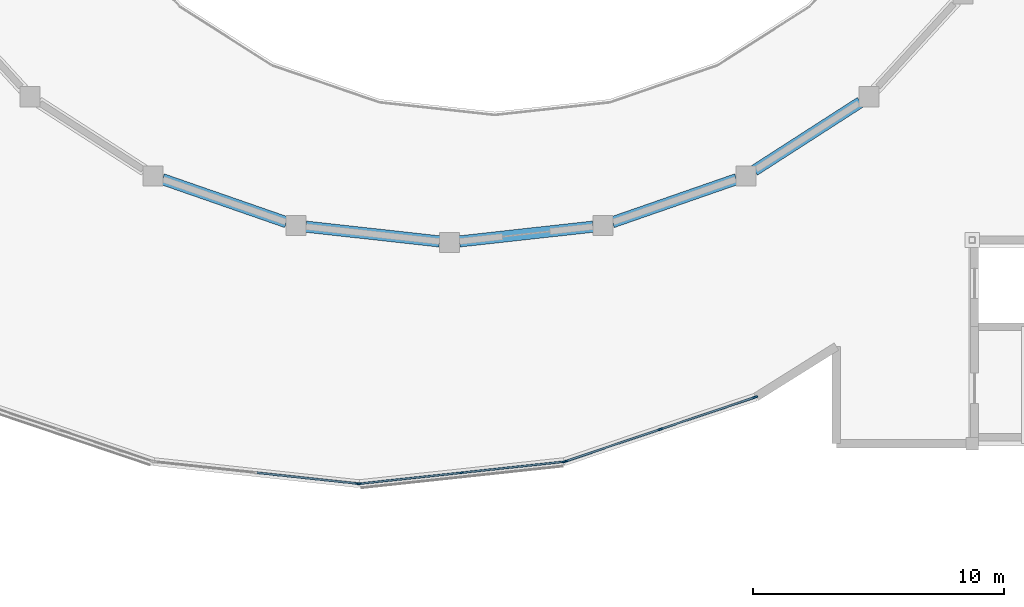
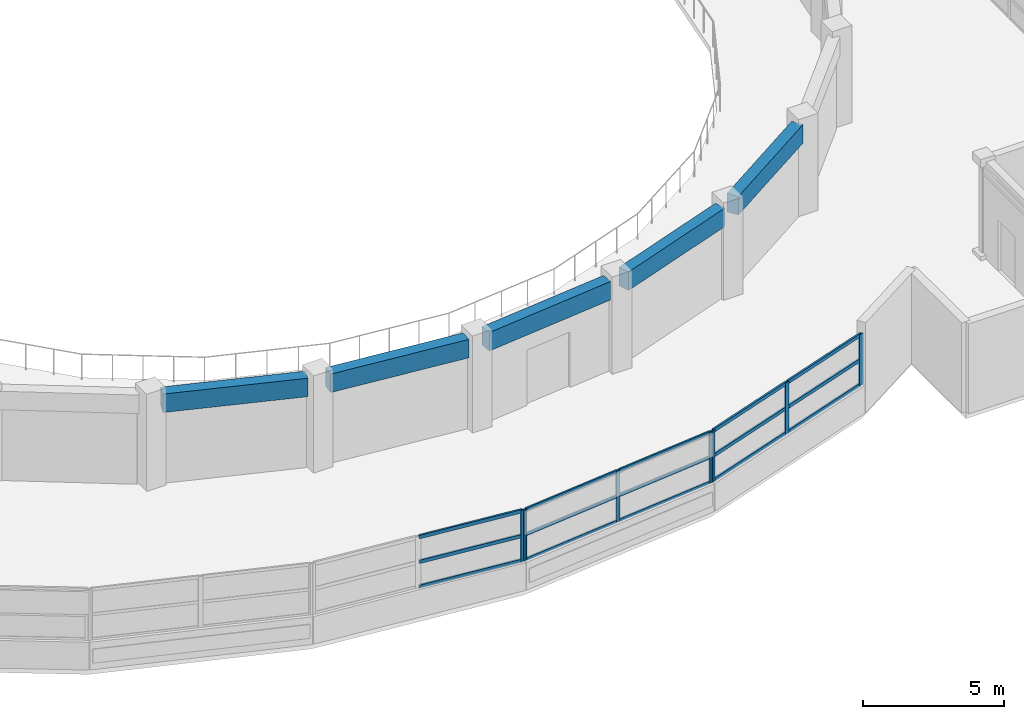
# One storey, part 11 of 54: 22 members, 5 beams, 3 elements without a shape of their own.
"""IFC4 building model written with IfcOpenShell, lengths in metres."""

from ifc_helpers import new_model, si_unit, direction, frame, origin, origin_2d, place, context, subcontext, project, spatial, rectangle, extrude, material, material_profile, profile_set, type_object, element, aggregate, save


model = new_model("IFC4")

# Units and contexts
model_context = context("Model", 3, precision=1e-05, world=origin(), true_north=direction((0.0, 1.0)))
body_context = subcontext(model_context, "Body", "Model", "MODEL_VIEW")
ifc_project = project(units=[si_unit("LENGTHUNIT", "METRE"), si_unit("AREAUNIT", "SQUARE_METRE"), si_unit("VOLUMEUNIT", "CUBIC_METRE"), si_unit("PLANEANGLEUNIT", "RADIAN"), si_unit("MASSUNIT", "GRAM", prefix="KILO")], contexts=[model_context])

# Site, building, storey
site_placement = place(None, origin())
site = spatial("IfcSite", under=ifc_project, at=site_placement, CompositionType="ELEMENT")
building_placement = place(site_placement, origin())
building = spatial("IfcBuilding", under=site, at=building_placement, Name="Parian Resonance Hall", CompositionType="ELEMENT")
storey_placement = place(building_placement, frame((0.0, 0.0, 15.0)))
storey = spatial("IfcBuildingStorey", under=building, at=storey_placement, Name="L03", CompositionType="ELEMENT", Elevation=15.0)

# Beams
ifc_material_1 = material(Name="Concrete C40/50", Category="concrete")
ifc_material_profile_1 = material_profile(ifc_material_1, rectangle(XDim=0.449951171875, YDim=0.800048828125, at=origin_2d()), Name="RC-BM-450x800")
ifc_profile_set_1 = profile_set([ifc_material_profile_1], Name="Concrete C40/50")
beam_type = type_object("IfcBeamType", Name="BM-RC450x800", PredefinedType="USERDEFINED", material=ifc_profile_set_1)
beam_1_placement = place(storey_placement, frame((32.577880859375, 26.721435546875, 3.530029296875), z_axis=(0.944593815742, -0.328241562362, 0.0), x_axis=(0.328241562362, 0.944593815742, 0.0)))
element("IfcBeam", 1, at=beam_1_placement, inside=storey, type_object=beam_type, Name="Concert hall drum ring beam L03-17", ObjectType="GIRDER", PredefinedType="USERDEFINED", context=body_context, shape_type="SweptSolid", body=[
    extrude(rectangle(XDim=0.449951171875, YDim=0.800048828125, at=origin_2d()), origin(), (0.0, 0.0, 1.0), 5.225830078125),
])
for number, where, z_axis, x_axis, name in (
    (2, (38.28955078125, 24.830810546875, 3.530029296875), (0.993953165009, -0.109804853117, 0.0), (0.109804853117, 0.993953165009, 0.0), "Concert hall drum ring beam L03-18"),
    (3, (44.397705078125, 24.243896484375, 3.530029296875), (0.993953165009, 0.109804853117, 0.0), (-0.109804853117, 0.993953165009, 0.0), "Concert hall drum ring beam L03-19"),
):
    element("IfcBeam", number, at=place(storey_placement, frame(where, z_axis=z_axis, x_axis=x_axis)), inside=storey, type_object=beam_type, Name=name, ObjectType="GIRDER", PredefinedType="USERDEFINED", context=body_context, shape_type="SweptSolid", body=[
        extrude(rectangle(XDim=0.449951171875, YDim=0.800048828125, at=origin_2d()), origin(), (0.0, 0.0, 1.0), 5.344970703125),
    ])
beam_2_placement = place(storey_placement, frame((50.48583984375, 25.006103515625, 3.530029296875), z_axis=(0.944593815742, 0.328241562362, 0.0), x_axis=(-0.328241562362, 0.944593815742, 0.0)))
element("IfcBeam", 4, at=beam_2_placement, inside=storey, type_object=beam_type, Name="Concert hall drum ring beam L03-20", ObjectType="GIRDER", PredefinedType="USERDEFINED", context=body_context, shape_type="SweptSolid", body=[
    extrude(rectangle(XDim=0.449951171875, YDim=0.800048828125, at=origin_2d()), origin(), (0.0, 0.0, 1.0), 5.225830078125),
])
beam_3_placement = place(storey_placement, frame((56.13623046875, 27.069091796875, 3.530029296875), z_axis=(0.840822266108, 0.541311293819, 0.0), x_axis=(-0.541311293819, 0.840822266108, 0.0)))
element("IfcBeam", 5, at=beam_3_placement, inside=storey, type_object=beam_type, Name="Concert hall drum ring beam L03-21", ObjectType="GIRDER", PredefinedType="USERDEFINED", context=body_context, shape_type="SweptSolid", body=[
    extrude(rectangle(XDim=0.449951171875, YDim=0.800048828125, at=origin_2d()), origin(), (0.0, 0.0, 1.0), 5.012939453125),
])

# Curtain wall, members
ifc_material_2 = material(Name="Bronze-anodised aluminium frame", Category="aluminium")
curtain_wall_type_1 = type_object("IfcCurtainWallType", Name="CW-SYS-03", PredefinedType="NOTDEFINED", material=ifc_material_2)
curtain_wall_1_placement = place(storey_placement, origin())
curtain_wall_1 = element("IfcCurtainWall", 6, at=curtain_wall_1_placement, inside=storey, type_object=curtain_wall_type_1, Name="Elliptical R3 recessed strip curtain wall 19", PredefinedType="NOTDEFINED")
ifc_material_3 = material(Name="Bronze-anodised aluminium frame", Category="aluminium")
ifc_material_profile_2 = material_profile(ifc_material_3, rectangle(XDim=0.06494140625, YDim=0.159912109375, at=origin_2d()), Name="CWM-65x160")
ifc_profile_set_2 = profile_set([ifc_material_profile_2], Name="Bronze-anodised aluminium frame")
member_type_1 = type_object("IfcMemberType", Name="CWM-65x160", PredefinedType="MULLION", material=ifc_profile_set_2)
member_1_placement = place(storey_placement, frame((48.54638671875, 15.4755859375, 1.19189453125), z_axis=(0.0, 0.0, 1.0), x_axis=(0.106870934025, -0.994272901904, 0.0)))
member_1 = element("IfcMember", 7, at=member_1_placement, type_object=member_type_1, Name="CW-03 mullion 1", PredefinedType="MULLION", context=body_context, shape_type="SweptSolid", body=[
    extrude(rectangle(XDim=0.06494140625, YDim=0.159912109375, at=origin_2d()), origin(), (0.0, 0.0, 1.0), 2.218017578125),
])
member_2_placement = place(storey_placement, frame((44.4892578125, 15.03955078125, 1.19189453125), z_axis=(0.0, 0.0, 1.0), x_axis=(0.106870934025, -0.994272901904, 0.0)))
member_2 = element("IfcMember", 8, at=member_2_placement, type_object=member_type_1, Name="CW-03 mullion 2", PredefinedType="MULLION", context=body_context, shape_type="SweptSolid", body=[
    extrude(rectangle(XDim=0.06494140625, YDim=0.159912109375, at=origin_2d()), origin(), (0.0, 0.0, 1.0), 2.218017578125),
])
member_3_placement = place(storey_placement, frame((40.432373046875, 14.603515625, 1.19189453125), z_axis=(0.0, 0.0, 1.0), x_axis=(0.106870934025, -0.994272901904, 0.0)))
member_3 = element("IfcMember", 9, at=member_3_placement, type_object=member_type_1, Name="CW-03 mullion 3", PredefinedType="MULLION", context=body_context, shape_type="SweptSolid", body=[
    extrude(rectangle(XDim=0.06494140625, YDim=0.159912109375, at=origin_2d()), origin(), (0.0, 0.0, 1.0), 2.218017578125),
])

# Curtain wall, member
ifc_material_4 = material(Name="Bronze-anodised aluminium frame", Category="aluminium")
curtain_wall_type_2 = type_object("IfcCurtainWallType", Name="CW-SYS-02", PredefinedType="NOTDEFINED", material=ifc_material_4)
curtain_wall_2_placement = place(storey_placement, origin())
curtain_wall_2 = element("IfcCurtainWall", 10, at=curtain_wall_2_placement, inside=storey, type_object=curtain_wall_type_2, Name="Elliptical R3 recessed strip curtain wall 18", PredefinedType="NOTDEFINED")
ifc_material_5 = material(Name="Bronze-anodised aluminium frame", Category="aluminium")
ifc_material_profile_3 = material_profile(ifc_material_5, rectangle(XDim=0.074951171875, YDim=0.199951171875, at=origin_2d()), Name="CWM-75x200")
ifc_profile_set_3 = profile_set([ifc_material_profile_3], Name="Bronze-anodised aluminium frame")
member_type_2 = type_object("IfcMemberType", Name="CWM-75x200", PredefinedType="MULLION", material=ifc_profile_set_3)
member_4_placement = place(storey_placement, frame((40.36279296875, 14.60400390625, 1.19189453125), z_axis=(0.0, 0.0, 1.0), x_axis=(-0.106870934025, -0.994272901904, 0.0)))
member_4 = element("IfcMember", 11, at=member_4_placement, type_object=member_type_2, Name="CW-02 mullion 1", PredefinedType="MULLION", context=body_context, shape_type="SweptSolid", body=[
    extrude(rectangle(XDim=0.074951171875, YDim=0.199951171875, at=origin_2d()), origin(), (0.0, 0.0, 1.0), 2.218017578125),
])

# Curtain wall, members
ifc_material_6 = material(Name="Bronze-anodised aluminium frame", Category="aluminium")
curtain_wall_type_3 = type_object("IfcCurtainWallType", Name="CW-SYS-04", PredefinedType="NOTDEFINED", material=ifc_material_6)
curtain_wall_3_placement = place(storey_placement, origin())
curtain_wall_3 = element("IfcCurtainWall", 12, at=curtain_wall_3_placement, inside=storey, type_object=curtain_wall_type_3, Name="Elliptical R3 recessed strip curtain wall 20", PredefinedType="NOTDEFINED")
member_5_placement = place(storey_placement, frame((56.16455078125, 18.04443359375, 1.19189453125), z_axis=(0.0, 0.0, 1.0), x_axis=(0.320360084104, -0.947295844239, 0.0)))
member_5 = element("IfcMember", 13, at=member_5_placement, type_object=member_type_2, Name="CW-04 mullion 1", PredefinedType="MULLION", context=body_context, shape_type="SweptSolid", body=[
    extrude(rectangle(XDim=0.074951171875, YDim=0.199951171875, at=origin_2d()), origin(), (0.0, 0.0, 1.0), 2.218017578125),
])
member_6_placement = place(storey_placement, frame((52.389404296875, 16.767822265625, 1.19189453125), z_axis=(0.0, 0.0, 1.0), x_axis=(0.320360084104, -0.947295844239, 0.0)))
member_6 = element("IfcMember", 14, at=member_6_placement, type_object=member_type_2, Name="CW-04 mullion 2", PredefinedType="MULLION", context=body_context, shape_type="SweptSolid", body=[
    extrude(rectangle(XDim=0.074951171875, YDim=0.199951171875, at=origin_2d()), origin(), (0.0, 0.0, 1.0), 2.218017578125),
])
member_7_placement = place(storey_placement, frame((48.6142578125, 15.4912109375, 1.19189453125), z_axis=(0.0, 0.0, 1.0), x_axis=(0.320360084104, -0.947295844239, 0.0)))
member_7 = element("IfcMember", 15, at=member_7_placement, type_object=member_type_2, Name="CW-04 mullion 3", PredefinedType="MULLION", context=body_context, shape_type="SweptSolid", body=[
    extrude(rectangle(XDim=0.074951171875, YDim=0.199951171875, at=origin_2d()), origin(), (0.0, 0.0, 1.0), 2.218017578125),
])

# Member
ifc_material_7 = material(Name="Bronze-anodised aluminium frame", Category="aluminium")
ifc_material_profile_4 = material_profile(ifc_material_7, rectangle(XDim=0.06494140625, YDim=0.1201171875, at=origin_2d()), Name="CWT-65x120")
ifc_profile_set_4 = profile_set([ifc_material_profile_4], Name="Bronze-anodised aluminium frame")
member_type_3 = type_object("IfcMemberType", Name="CWT-65x120", PredefinedType="USERDEFINED", material=ifc_profile_set_4)
member_8_placement = place(storey_placement, frame((48.51416015625, 15.47216796875, 1.224609375), z_axis=(-0.99427113841, -0.106887339407, 0.0), x_axis=(0.106887339407, -0.99427113841, 0.0)))
member_8 = element("IfcMember", 16, at=member_8_placement, type_object=member_type_3, Name="CW-03 transom 1.1", ObjectType="TRANSOM", PredefinedType="USERDEFINED", context=body_context, shape_type="SweptSolid", body=[
    extrude(rectangle(XDim=0.06494140625, YDim=0.1201171875, at=origin_2d()), origin(), (0.0, 0.0, 1.0), 4.015380859375),
])

member_9_placement = place(storey_placement, frame((48.51416015625, 15.47216796875, 2.300048828125), z_axis=(-0.99427113841, -0.106887339407, 0.0), x_axis=(0.106887339407, -0.99427113841, 0.0)))
member_9 = element("IfcMember", 17, at=member_9_placement, type_object=member_type_3, Name="CW-03 transom 1.2", ObjectType="TRANSOM", PredefinedType="USERDEFINED", context=body_context, shape_type="SweptSolid", body=[
    extrude(rectangle(XDim=0.06494140625, YDim=0.1201171875, at=origin_2d()), origin(), (0.0, 0.0, 1.0), 4.015380859375),
])

member_10_placement = place(storey_placement, frame((48.51416015625, 15.47216796875, 3.37744140625), z_axis=(-0.99427113841, -0.106887339407, 0.0), x_axis=(0.106887339407, -0.99427113841, 0.0)))
member_10 = element("IfcMember", 18, at=member_10_placement, type_object=member_type_3, Name="CW-03 transom 1.3", ObjectType="TRANSOM", PredefinedType="USERDEFINED", context=body_context, shape_type="SweptSolid", body=[
    extrude(rectangle(XDim=0.06494140625, YDim=0.1201171875, at=origin_2d()), origin(), (0.0, 0.0, 1.0), 4.015380859375),
])

member_11_placement = place(storey_placement, frame((44.45703125, 15.0361328125, 1.224609375), z_axis=(-0.99427113841, -0.106887339407, 0.0), x_axis=(0.106887339407, -0.99427113841, 0.0)))
member_11 = element("IfcMember", 19, at=member_11_placement, type_object=member_type_3, Name="CW-03 transom 2.1", ObjectType="TRANSOM", PredefinedType="USERDEFINED", context=body_context, shape_type="SweptSolid", body=[
    extrude(rectangle(XDim=0.06494140625, YDim=0.1201171875, at=origin_2d()), origin(), (0.0, 0.0, 1.0), 4.015380859375),
])

member_12_placement = place(storey_placement, frame((44.45703125, 15.0361328125, 2.300048828125), z_axis=(-0.99427113841, -0.106887339407, 0.0), x_axis=(0.106887339407, -0.99427113841, 0.0)))
member_12 = element("IfcMember", 20, at=member_12_placement, type_object=member_type_3, Name="CW-03 transom 2.2", ObjectType="TRANSOM", PredefinedType="USERDEFINED", context=body_context, shape_type="SweptSolid", body=[
    extrude(rectangle(XDim=0.06494140625, YDim=0.1201171875, at=origin_2d()), origin(), (0.0, 0.0, 1.0), 4.015380859375),
])

member_13_placement = place(storey_placement, frame((44.45703125, 15.0361328125, 3.37744140625), z_axis=(-0.99427113841, -0.106887339407, 0.0), x_axis=(0.106887339407, -0.99427113841, 0.0)))
member_13 = element("IfcMember", 21, at=member_13_placement, type_object=member_type_3, Name="CW-03 transom 2.3", ObjectType="TRANSOM", PredefinedType="USERDEFINED", context=body_context, shape_type="SweptSolid", body=[
    extrude(rectangle(XDim=0.06494140625, YDim=0.1201171875, at=origin_2d()), origin(), (0.0, 0.0, 1.0), 4.015380859375),
])

aggregate(curtain_wall_1, [member_1, member_2, member_3, member_8, member_9, member_10, member_11, member_12, member_13])

ifc_material_8 = material(Name="Bronze-anodised aluminium frame", Category="aluminium")
ifc_material_profile_5 = material_profile(ifc_material_8, rectangle(XDim=0.074951171875, YDim=0.14990234375, at=origin_2d()), Name="CWT-75x150")
ifc_profile_set_5 = profile_set([ifc_material_profile_5], Name="Bronze-anodised aluminium frame")
member_type_4 = type_object("IfcMemberType", Name="CWT-75x150", PredefinedType="USERDEFINED", material=ifc_profile_set_5)
member_14_placement = place(storey_placement, frame((40.325439453125, 14.60791015625, 1.2294921875), z_axis=(-0.994267520767, 0.106920985538, 0.0), x_axis=(-0.106920985538, -0.994267520767, 0.0)))
member_14 = element("IfcMember", 22, at=member_14_placement, type_object=member_type_4, Name="CW-02 transom 1.1", ObjectType="TRANSOM", PredefinedType="USERDEFINED", context=body_context, shape_type="SweptSolid", body=[
    extrude(rectangle(XDim=0.074951171875, YDim=0.14990234375, at=origin_2d()), origin(), (0.0, 0.0, 1.0), 4.00048828125),
])

member_15_placement = place(storey_placement, frame((40.325439453125, 14.60791015625, 2.300048828125), z_axis=(-0.994267520767, 0.106920985538, 0.0), x_axis=(-0.106920985538, -0.994267520767, 0.0)))
member_15 = element("IfcMember", 23, at=member_15_placement, type_object=member_type_4, Name="CW-02 transom 1.2", ObjectType="TRANSOM", PredefinedType="USERDEFINED", context=body_context, shape_type="SweptSolid", body=[
    extrude(rectangle(XDim=0.074951171875, YDim=0.14990234375, at=origin_2d()), origin(), (0.0, 0.0, 1.0), 4.00048828125),
])

member_16_placement = place(storey_placement, frame((40.325439453125, 14.60791015625, 3.37255859375), z_axis=(-0.994267520767, 0.106920985538, 0.0), x_axis=(-0.106920985538, -0.994267520767, 0.0)))
member_16 = element("IfcMember", 24, at=member_16_placement, type_object=member_type_4, Name="CW-02 transom 1.3", ObjectType="TRANSOM", PredefinedType="USERDEFINED", context=body_context, shape_type="SweptSolid", body=[
    extrude(rectangle(XDim=0.074951171875, YDim=0.14990234375, at=origin_2d()), origin(), (0.0, 0.0, 1.0), 4.00048828125),
])

aggregate(curtain_wall_2, [member_4, member_14, member_15, member_16])

member_17_placement = place(storey_placement, frame((56.12890625, 18.032470703125, 1.2294921875), z_axis=(-0.947294408447, -0.320364329669, 0.0), x_axis=(0.320364329669, -0.947294408447, 0.0)))
member_17 = element("IfcMember", 25, at=member_17_placement, type_object=member_type_4, Name="CW-04 transom 1.1", ObjectType="TRANSOM", PredefinedType="USERDEFINED", context=body_context, shape_type="SweptSolid", body=[
    extrude(rectangle(XDim=0.074951171875, YDim=0.14990234375, at=origin_2d()), origin(), (0.0, 0.0, 1.0), 3.91015625),
])

member_18_placement = place(storey_placement, frame((56.12890625, 18.032470703125, 2.300048828125), z_axis=(-0.947294408447, -0.320364329669, 0.0), x_axis=(0.320364329669, -0.947294408447, 0.0)))
member_18 = element("IfcMember", 26, at=member_18_placement, type_object=member_type_4, Name="CW-04 transom 1.2", ObjectType="TRANSOM", PredefinedType="USERDEFINED", context=body_context, shape_type="SweptSolid", body=[
    extrude(rectangle(XDim=0.074951171875, YDim=0.14990234375, at=origin_2d()), origin(), (0.0, 0.0, 1.0), 3.91015625),
])

member_19_placement = place(storey_placement, frame((56.12890625, 18.032470703125, 3.37255859375), z_axis=(-0.947294408447, -0.320364329669, 0.0), x_axis=(0.320364329669, -0.947294408447, 0.0)))
member_19 = element("IfcMember", 27, at=member_19_placement, type_object=member_type_4, Name="CW-04 transom 1.3", ObjectType="TRANSOM", PredefinedType="USERDEFINED", context=body_context, shape_type="SweptSolid", body=[
    extrude(rectangle(XDim=0.074951171875, YDim=0.14990234375, at=origin_2d()), origin(), (0.0, 0.0, 1.0), 3.91015625),
])

member_20_placement = place(storey_placement, frame((52.353759765625, 16.755859375, 1.2294921875), z_axis=(-0.947294408447, -0.320364329669, 0.0), x_axis=(0.320364329669, -0.947294408447, 0.0)))
member_20 = element("IfcMember", 28, at=member_20_placement, type_object=member_type_4, Name="CW-04 transom 2.1", ObjectType="TRANSOM", PredefinedType="USERDEFINED", context=body_context, shape_type="SweptSolid", body=[
    extrude(rectangle(XDim=0.074951171875, YDim=0.14990234375, at=origin_2d()), origin(), (0.0, 0.0, 1.0), 3.91015625),
])

member_21_placement = place(storey_placement, frame((52.353759765625, 16.755859375, 2.300048828125), z_axis=(-0.947294408447, -0.320364329669, 0.0), x_axis=(0.320364329669, -0.947294408447, 0.0)))
member_21 = element("IfcMember", 29, at=member_21_placement, type_object=member_type_4, Name="CW-04 transom 2.2", ObjectType="TRANSOM", PredefinedType="USERDEFINED", context=body_context, shape_type="SweptSolid", body=[
    extrude(rectangle(XDim=0.074951171875, YDim=0.14990234375, at=origin_2d()), origin(), (0.0, 0.0, 1.0), 3.91015625),
])

member_22_placement = place(storey_placement, frame((52.353759765625, 16.755859375, 3.37255859375), z_axis=(-0.947294408447, -0.320364329669, 0.0), x_axis=(0.320364329669, -0.947294408447, 0.0)))
member_22 = element("IfcMember", 30, at=member_22_placement, type_object=member_type_4, Name="CW-04 transom 2.3", ObjectType="TRANSOM", PredefinedType="USERDEFINED", context=body_context, shape_type="SweptSolid", body=[
    extrude(rectangle(XDim=0.074951171875, YDim=0.14990234375, at=origin_2d()), origin(), (0.0, 0.0, 1.0), 3.91015625),
])

aggregate(curtain_wall_3, [member_5, member_6, member_7, member_17, member_18, member_19, member_20, member_21, member_22])

save(model, "model.ifc")
